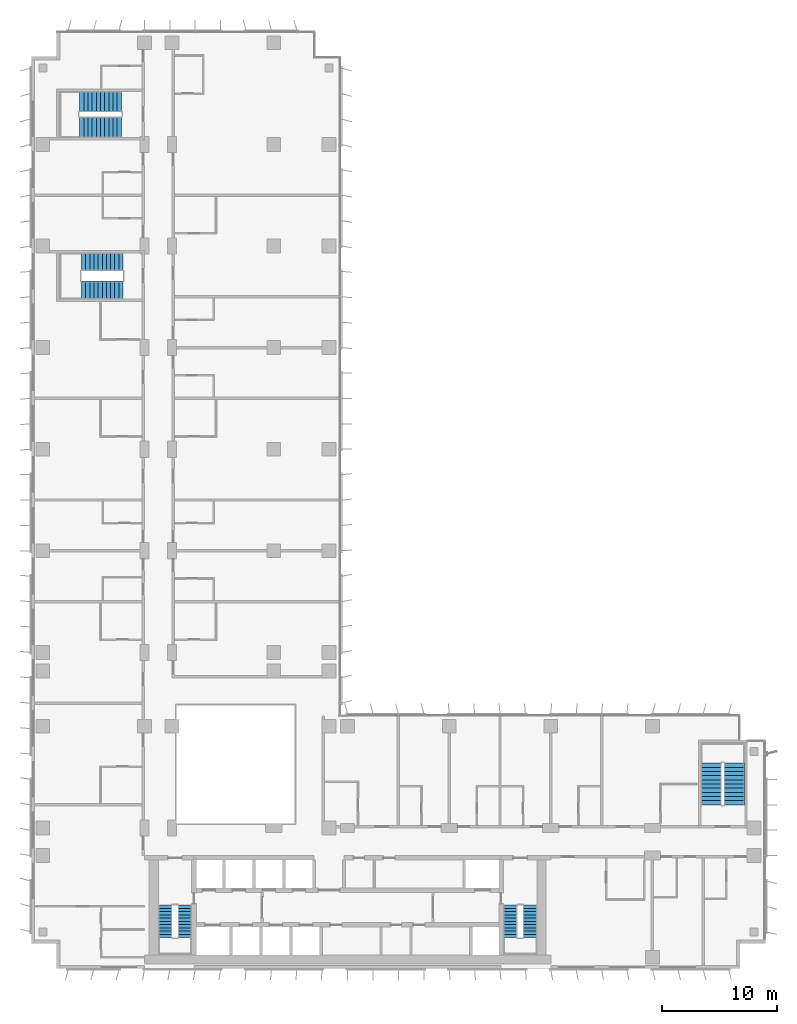
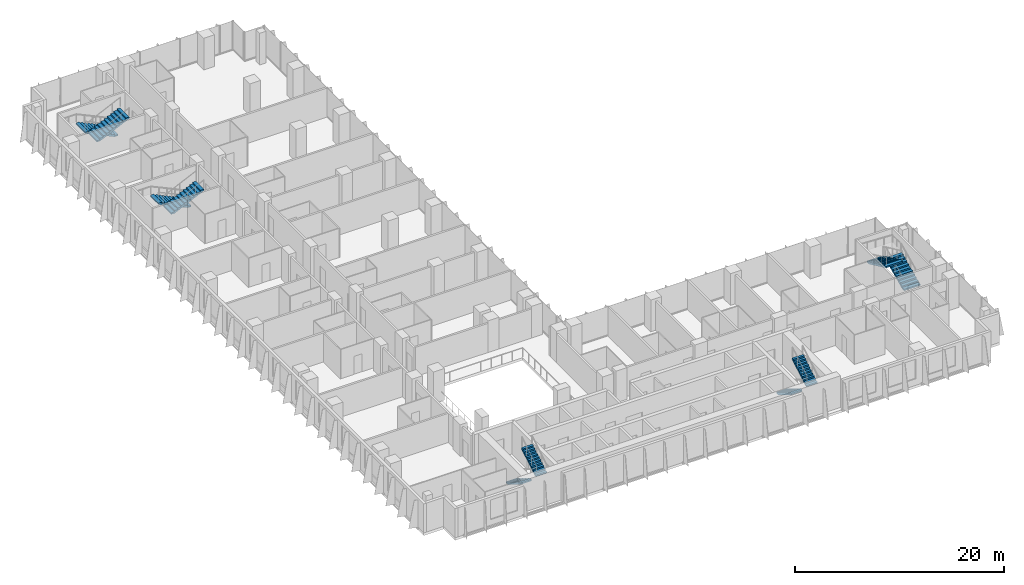
# One storey, part 19 of 23: 10 stair flights, 5 elements without a shape of their own.
"""IFC4 building model written with IfcOpenShell, lengths in metres."""

from ifc_helpers import new_model, si_unit, direction, frame, origin, place, context, subcontext, project, spatial, polyline, outline, extrude, material, type_object, element, aggregate, save


model = new_model("IFC4")

# Units and contexts
model_context = context("Model", 3, precision=1e-05, world=origin(), true_north=direction((0.0, 1.0)))
body_context = subcontext(model_context, "Body", "Model", "MODEL_VIEW")
ifc_project = project(units=[si_unit("LENGTHUNIT", "METRE"), si_unit("AREAUNIT", "SQUARE_METRE"), si_unit("VOLUMEUNIT", "CUBIC_METRE"), si_unit("PLANEANGLEUNIT", "RADIAN"), si_unit("MASSUNIT", "GRAM", prefix="KILO")], contexts=[model_context])

# Site, building, storey
site_placement = place(None, origin())
site = spatial("IfcSite", under=ifc_project, at=site_placement, CompositionType="ELEMENT")
building_placement = place(site_placement, origin())
building = spatial("IfcBuilding", under=site, at=building_placement, Name="Kemantara Hotel Tower", CompositionType="ELEMENT")
storey_placement = place(building_placement, frame((0.0, 0.0, 142.0)))
storey = spatial("IfcBuildingStorey", under=building, at=storey_placement, Name="L34", CompositionType="ELEMENT", Elevation=142.0)

# Stair, stair flights
ifc_material = material(Name="Concrete fc 40 MPa", Category="concrete")
stair_type_1 = type_object("IfcStairType", Name="Stair 1200 wide 22 risers of 168 x 280 mm", PredefinedType="HALF_TURN_STAIR", material=ifc_material)
stair_1_placement = place(storey_placement, origin())
stair_1 = element("IfcStair", 1, at=stair_1_placement, inside=storey, type_object=stair_type_1, Name="L34 Exit stair ST1", PredefinedType="HALF_TURN_STAIR")
stair_flight_type_1 = type_object("IfcStairFlightType", Name="Stair flight 1200 wide 168 x 280 mm", PredefinedType="STRAIGHT", material=ifc_material)
stair_flight_1_placement = place(storey_placement, frame((11.60009765625, 5.5, 0.0), z_axis=(0.0, 0.0, 1.0), x_axis=(0.0, -1.0, 0.0)))
stair_flight_1 = element("IfcStairFlight", 2, at=stair_flight_1_placement, type_object=stair_flight_type_1, Name="ST1 flight 1", NumberOfRisers=11, NumberOfTreads=10, PredefinedType="STRAIGHT", RiserHeight=0.168181818, TreadLength=0.28, context=body_context, shape_type="SweptSolid", body=[
    extrude(outline(polyline([(0.0, 0.0), (0.0, 0.168212890625), (0.280029296875, 0.168212890625), (0.280029296875, 0.33642578125), (0.56005859375, 0.33642578125), (0.56005859375, 0.504638671875), (0.840087890625, 0.504638671875), (0.840087890625, 0.672607421875), (1.1201171875, 0.672607421875), (1.1201171875, 0.8408203125), (1.39990234375, 0.8408203125), (1.39990234375, 1.009033203125), (1.679931640625, 1.009033203125), (1.679931640625, 1.17724609375), (1.9599609375, 1.17724609375), (1.9599609375, 1.345458984375), (2.239990234375, 1.345458984375), (2.239990234375, 1.513671875), (2.52001953125, 1.513671875), (2.52001953125, 1.681884765625), (2.800048828125, 1.681884765625), (2.800048828125, 1.85009765625), (2.800048828125, 1.5068359375), (0.291015625, 0.0), (0.0, 0.0)])), frame((0.0, 0.60009765625, 0.0), z_axis=(0.0, -1.0, 0.0), x_axis=(1.0, 0.0, 0.0)), (0.0, 0.0, 1.0), 1.199951171875),
])
stair_flight_2_placement = place(storey_placement, frame((13.300048828125, 2.699951171875, 1.85009765625), z_axis=(0.0, 0.0, 1.0), x_axis=(0.0, 1.0, 0.0)))
stair_flight_2 = element("IfcStairFlight", 3, at=stair_flight_2_placement, type_object=stair_flight_type_1, Name="ST1 flight 2", NumberOfRisers=11, NumberOfTreads=10, PredefinedType="STRAIGHT", RiserHeight=0.168181818, TreadLength=0.28, context=body_context, shape_type="SweptSolid", body=[
    extrude(outline(polyline([(0.0, 0.0), (0.0, 0.168212890625), (0.280029296875, 0.168212890625), (0.280029296875, 0.33642578125), (0.56005859375, 0.33642578125), (0.56005859375, 0.504638671875), (0.840087890625, 0.504638671875), (0.840087890625, 0.672607421875), (1.1201171875, 0.672607421875), (1.1201171875, 0.8408203125), (1.39990234375, 0.8408203125), (1.39990234375, 1.009033203125), (1.679931640625, 1.009033203125), (1.679931640625, 1.17724609375), (1.9599609375, 1.17724609375), (1.9599609375, 1.345458984375), (2.239990234375, 1.345458984375), (2.239990234375, 1.513671875), (2.52001953125, 1.513671875), (2.52001953125, 1.681884765625), (2.800048828125, 1.681884765625), (2.800048828125, 1.85009765625), (2.800048828125, 1.5068359375), (0.291015625, 0.0), (0.0, 0.0)])), frame((0.0, 0.60009765625, 0.0), z_axis=(0.0, -1.0, 0.0), x_axis=(1.0, 0.0, 0.0)), (0.0, 0.0, 1.0), 1.199951171875),
])
aggregate(stair_1, [stair_flight_1, stair_flight_2])

stair_2_placement = place(storey_placement, origin())
stair_2 = element("IfcStair", 4, at=stair_2_placement, inside=storey, type_object=stair_type_1, Name="L34 Exit stair ST2", PredefinedType="HALF_TURN_STAIR")
stair_flight_3_placement = place(storey_placement, frame((41.5, 5.5, 0.0), z_axis=(0.0, 0.0, 1.0), x_axis=(0.0, -1.0, 0.0)))
stair_flight_3 = element("IfcStairFlight", 5, at=stair_flight_3_placement, type_object=stair_flight_type_1, Name="ST2 flight 1", NumberOfRisers=11, NumberOfTreads=10, PredefinedType="STRAIGHT", RiserHeight=0.168181818, TreadLength=0.28, context=body_context, shape_type="SweptSolid", body=[
    extrude(outline(polyline([(0.0, 0.0), (0.0, 0.168212890625), (0.280029296875, 0.168212890625), (0.280029296875, 0.33642578125), (0.56005859375, 0.33642578125), (0.56005859375, 0.504638671875), (0.840087890625, 0.504638671875), (0.840087890625, 0.672607421875), (1.1201171875, 0.672607421875), (1.1201171875, 0.8408203125), (1.39990234375, 0.8408203125), (1.39990234375, 1.009033203125), (1.679931640625, 1.009033203125), (1.679931640625, 1.17724609375), (1.9599609375, 1.17724609375), (1.9599609375, 1.345458984375), (2.239990234375, 1.345458984375), (2.239990234375, 1.513671875), (2.52001953125, 1.513671875), (2.52001953125, 1.681884765625), (2.800048828125, 1.681884765625), (2.800048828125, 1.85009765625), (2.800048828125, 1.5068359375), (0.291015625, 0.0), (0.0, 0.0)])), frame((0.0, 0.60009765625, 0.0), z_axis=(0.0, -1.0, 0.0), x_axis=(1.0, 0.0, 0.0)), (0.0, 0.0, 1.0), 1.199951171875),
])
stair_flight_4_placement = place(storey_placement, frame((43.199951171875, 2.699951171875, 1.85009765625), z_axis=(0.0, 0.0, 1.0), x_axis=(0.0, 1.0, 0.0)))
stair_flight_4 = element("IfcStairFlight", 6, at=stair_flight_4_placement, type_object=stair_flight_type_1, Name="ST2 flight 2", NumberOfRisers=11, NumberOfTreads=10, PredefinedType="STRAIGHT", RiserHeight=0.168181818, TreadLength=0.28, context=body_context, shape_type="SweptSolid", body=[
    extrude(outline(polyline([(0.0, 0.0), (0.0, 0.168212890625), (0.280029296875, 0.168212890625), (0.280029296875, 0.33642578125), (0.56005859375, 0.33642578125), (0.56005859375, 0.504638671875), (0.840087890625, 0.504638671875), (0.840087890625, 0.672607421875), (1.1201171875, 0.672607421875), (1.1201171875, 0.8408203125), (1.39990234375, 0.8408203125), (1.39990234375, 1.009033203125), (1.679931640625, 1.009033203125), (1.679931640625, 1.17724609375), (1.9599609375, 1.17724609375), (1.9599609375, 1.345458984375), (2.239990234375, 1.345458984375), (2.239990234375, 1.513671875), (2.52001953125, 1.513671875), (2.52001953125, 1.681884765625), (2.800048828125, 1.681884765625), (2.800048828125, 1.85009765625), (2.800048828125, 1.5068359375), (0.291015625, 0.0), (0.0, 0.0)])), frame((0.0, 0.60009765625, 0.0), z_axis=(0.0, -1.0, 0.0), x_axis=(1.0, 0.0, 0.0)), (0.0, 0.0, 1.0), 1.199951171875),
])
aggregate(stair_2, [stair_flight_3, stair_flight_4])

stair_type_2 = type_object("IfcStairType", Name="Stair 1550 wide 22 risers of 168 x 360 mm", PredefinedType="HALF_TURN_STAIR", material=ifc_material)
stair_3_placement = place(storey_placement, origin())
stair_3 = element("IfcStair", 7, at=stair_3_placement, inside=storey, type_object=stair_type_2, Name="L34 Exit stair ST4", PredefinedType="HALF_TURN_STAIR")
stair_flight_type_2 = type_object("IfcStairFlightType", Name="Stair flight 1550 wide 168 x 360 mm", PredefinedType="STRAIGHT", material=ifc_material)
stair_flight_5_placement = place(storey_placement, frame((7.949951171875, 61.22509765625, 0.0), z_axis=(0.0, 0.0, 1.0), x_axis=(-1.0, 0.0, 0.0)))
stair_flight_5 = element("IfcStairFlight", 8, at=stair_flight_5_placement, type_object=stair_flight_type_2, Name="ST4 flight 1", NumberOfRisers=11, NumberOfTreads=10, PredefinedType="STRAIGHT", RiserHeight=0.168181818, TreadLength=0.36, context=body_context, shape_type="SweptSolid", body=[
    extrude(outline(polyline([(0.0, 0.0), (0.0, 0.168212890625), (0.360107421875, 0.168212890625), (0.360107421875, 0.33642578125), (0.719970703125, 0.33642578125), (0.719970703125, 0.504638671875), (1.080078125, 0.504638671875), (1.080078125, 0.672607421875), (1.43994140625, 0.672607421875), (1.43994140625, 0.8408203125), (1.800048828125, 0.8408203125), (1.800048828125, 1.009033203125), (2.159912109375, 1.009033203125), (2.159912109375, 1.17724609375), (2.52001953125, 1.17724609375), (2.52001953125, 1.345458984375), (2.8798828125, 1.345458984375), (2.8798828125, 1.513671875), (3.239990234375, 1.513671875), (3.239990234375, 1.681884765625), (3.60009765625, 1.681884765625), (3.60009765625, 1.85009765625), (3.60009765625, 1.516357421875), (0.354248046875, 0.0), (0.0, 0.0)])), frame((0.0, 0.77490234375, 0.0), z_axis=(0.0, -1.0, 0.0), x_axis=(1.0, 0.0, 0.0)), (0.0, 0.0, 1.0), 1.550048828125),
])
stair_flight_6_placement = place(storey_placement, frame((4.35009765625, 58.77490234375, 1.85009765625), z_axis=(0.0, 0.0, 1.0), x_axis=(1.0, 0.0, 0.0)))
stair_flight_6 = element("IfcStairFlight", 9, at=stair_flight_6_placement, type_object=stair_flight_type_2, Name="ST4 flight 2", NumberOfRisers=11, NumberOfTreads=10, PredefinedType="STRAIGHT", RiserHeight=0.168181818, TreadLength=0.36, context=body_context, shape_type="SweptSolid", body=[
    extrude(outline(polyline([(0.0, 0.0), (0.0, 0.168212890625), (0.360107421875, 0.168212890625), (0.360107421875, 0.33642578125), (0.719970703125, 0.33642578125), (0.719970703125, 0.504638671875), (1.080078125, 0.504638671875), (1.080078125, 0.672607421875), (1.43994140625, 0.672607421875), (1.43994140625, 0.8408203125), (1.800048828125, 0.8408203125), (1.800048828125, 1.009033203125), (2.159912109375, 1.009033203125), (2.159912109375, 1.17724609375), (2.52001953125, 1.17724609375), (2.52001953125, 1.345458984375), (2.8798828125, 1.345458984375), (2.8798828125, 1.513671875), (3.239990234375, 1.513671875), (3.239990234375, 1.681884765625), (3.60009765625, 1.681884765625), (3.60009765625, 1.85009765625), (3.60009765625, 1.516357421875), (0.354248046875, 0.0), (0.0, 0.0)])), frame((0.0, 0.77490234375, 0.0), z_axis=(0.0, -1.0, 0.0), x_axis=(1.0, 0.0, 0.0)), (0.0, 0.0, 1.0), 1.550048828125),
])
aggregate(stair_3, [stair_flight_5, stair_flight_6])

stair_type_3 = type_object("IfcStairType", Name="Stair 1800 wide 22 risers of 168 x 360 mm", PredefinedType="HALF_TURN_STAIR", material=ifc_material)
stair_4_placement = place(storey_placement, origin())
stair_4 = element("IfcStair", 10, at=stair_4_placement, inside=storey, type_object=stair_type_3, Name="L34 Exit stair ST3", PredefinedType="HALF_TURN_STAIR")
stair_flight_type_3 = type_object("IfcStairFlightType", Name="Stair flight 1800 wide 168 x 360 mm", PredefinedType="STRAIGHT", material=ifc_material)
stair_flight_7_placement = place(storey_placement, frame((60.89990234375, 14.199951171875, 0.0), z_axis=(0.0, 0.0, 1.0), x_axis=(0.0, 1.0, 0.0)))
stair_flight_7 = element("IfcStairFlight", 11, at=stair_flight_7_placement, type_object=stair_flight_type_3, Name="ST3 flight 1", NumberOfRisers=11, NumberOfTreads=10, PredefinedType="STRAIGHT", RiserHeight=0.168181818, TreadLength=0.36, context=body_context, shape_type="SweptSolid", body=[
    extrude(outline(polyline([(0.0, 0.0), (0.0, 0.168212890625), (0.360107421875, 0.168212890625), (0.360107421875, 0.33642578125), (0.719970703125, 0.33642578125), (0.719970703125, 0.504638671875), (1.080078125, 0.504638671875), (1.080078125, 0.672607421875), (1.43994140625, 0.672607421875), (1.43994140625, 0.8408203125), (1.800048828125, 0.8408203125), (1.800048828125, 1.009033203125), (2.159912109375, 1.009033203125), (2.159912109375, 1.17724609375), (2.52001953125, 1.17724609375), (2.52001953125, 1.345458984375), (2.8798828125, 1.345458984375), (2.8798828125, 1.513671875), (3.239990234375, 1.513671875), (3.239990234375, 1.681884765625), (3.60009765625, 1.681884765625), (3.60009765625, 1.85009765625), (3.60009765625, 1.516357421875), (0.354248046875, 0.0), (0.0, 0.0)])), frame((0.0, 0.89990234375, 0.0), z_axis=(0.0, -1.0, 0.0), x_axis=(1.0, 0.0, 0.0)), (0.0, 0.0, 1.0), 1.800048828125),
])
stair_flight_8_placement = place(storey_placement, frame((58.89990234375, 17.800048828125, 1.85009765625), z_axis=(0.0, 0.0, 1.0), x_axis=(0.0, -1.0, 0.0)))
stair_flight_8 = element("IfcStairFlight", 12, at=stair_flight_8_placement, type_object=stair_flight_type_3, Name="ST3 flight 2", NumberOfRisers=11, NumberOfTreads=10, PredefinedType="STRAIGHT", RiserHeight=0.168181818, TreadLength=0.36, context=body_context, shape_type="SweptSolid", body=[
    extrude(outline(polyline([(0.0, 0.0), (0.0, 0.168212890625), (0.360107421875, 0.168212890625), (0.360107421875, 0.33642578125), (0.719970703125, 0.33642578125), (0.719970703125, 0.504638671875), (1.080078125, 0.504638671875), (1.080078125, 0.672607421875), (1.43994140625, 0.672607421875), (1.43994140625, 0.8408203125), (1.800048828125, 0.8408203125), (1.800048828125, 1.009033203125), (2.159912109375, 1.009033203125), (2.159912109375, 1.17724609375), (2.52001953125, 1.17724609375), (2.52001953125, 1.345458984375), (2.8798828125, 1.345458984375), (2.8798828125, 1.513671875), (3.239990234375, 1.513671875), (3.239990234375, 1.681884765625), (3.60009765625, 1.681884765625), (3.60009765625, 1.85009765625), (3.60009765625, 1.516357421875), (0.354248046875, 0.0), (0.0, 0.0)])), frame((0.0, 0.89990234375, 0.0), z_axis=(0.0, -1.0, 0.0), x_axis=(1.0, 0.0, 0.0)), (0.0, 0.0, 1.0), 1.800048828125),
])
aggregate(stair_4, [stair_flight_7, stair_flight_8])

stair_5_placement = place(storey_placement, origin())
stair_5 = element("IfcStair", 13, at=stair_5_placement, inside=storey, type_object=stair_type_3, Name="L34 Exit stair ST6", PredefinedType="HALF_TURN_STAIR")
stair_flight_9_placement = place(storey_placement, frame((7.800048828125, 75.10009765625, 0.0), z_axis=(0.0, 0.0, 1.0), x_axis=(-1.0, 0.0, 0.0)))
stair_flight_9 = element("IfcStairFlight", 14, at=stair_flight_9_placement, type_object=stair_flight_type_3, Name="ST6 flight 1", NumberOfRisers=11, NumberOfTreads=10, PredefinedType="STRAIGHT", RiserHeight=0.168181818, TreadLength=0.36, context=body_context, shape_type="SweptSolid", body=[
    extrude(outline(polyline([(0.0, 0.0), (0.0, 0.168212890625), (0.360107421875, 0.168212890625), (0.360107421875, 0.33642578125), (0.719970703125, 0.33642578125), (0.719970703125, 0.504638671875), (1.080078125, 0.504638671875), (1.080078125, 0.672607421875), (1.43994140625, 0.672607421875), (1.43994140625, 0.8408203125), (1.800048828125, 0.8408203125), (1.800048828125, 1.009033203125), (2.159912109375, 1.009033203125), (2.159912109375, 1.17724609375), (2.52001953125, 1.17724609375), (2.52001953125, 1.345458984375), (2.8798828125, 1.345458984375), (2.8798828125, 1.513671875), (3.239990234375, 1.513671875), (3.239990234375, 1.681884765625), (3.60009765625, 1.681884765625), (3.60009765625, 1.85009765625), (3.60009765625, 1.516357421875), (0.354248046875, 0.0), (0.0, 0.0)])), frame((0.0, 0.89990234375, 0.0), z_axis=(0.0, -1.0, 0.0), x_axis=(1.0, 0.0, 0.0)), (0.0, 0.0, 1.0), 1.800048828125),
])
stair_flight_10_placement = place(storey_placement, frame((4.199951171875, 72.89990234375, 1.85009765625), z_axis=(0.0, 0.0, 1.0), x_axis=(1.0, 0.0, 0.0)))
stair_flight_10 = element("IfcStairFlight", 15, at=stair_flight_10_placement, type_object=stair_flight_type_3, Name="ST6 flight 2", NumberOfRisers=11, NumberOfTreads=10, PredefinedType="STRAIGHT", RiserHeight=0.168181818, TreadLength=0.36, context=body_context, shape_type="SweptSolid", body=[
    extrude(outline(polyline([(0.0, 0.0), (0.0, 0.168212890625), (0.360107421875, 0.168212890625), (0.360107421875, 0.33642578125), (0.719970703125, 0.33642578125), (0.719970703125, 0.504638671875), (1.080078125, 0.504638671875), (1.080078125, 0.672607421875), (1.43994140625, 0.672607421875), (1.43994140625, 0.8408203125), (1.800048828125, 0.8408203125), (1.800048828125, 1.009033203125), (2.159912109375, 1.009033203125), (2.159912109375, 1.17724609375), (2.52001953125, 1.17724609375), (2.52001953125, 1.345458984375), (2.8798828125, 1.345458984375), (2.8798828125, 1.513671875), (3.239990234375, 1.513671875), (3.239990234375, 1.681884765625), (3.60009765625, 1.681884765625), (3.60009765625, 1.85009765625), (3.60009765625, 1.516357421875), (0.354248046875, 0.0), (0.0, 0.0)])), frame((0.0, 0.89990234375, 0.0), z_axis=(0.0, -1.0, 0.0), x_axis=(1.0, 0.0, 0.0)), (0.0, 0.0, 1.0), 1.800048828125),
])
aggregate(stair_5, [stair_flight_9, stair_flight_10])

save(model, "model.ifc")
